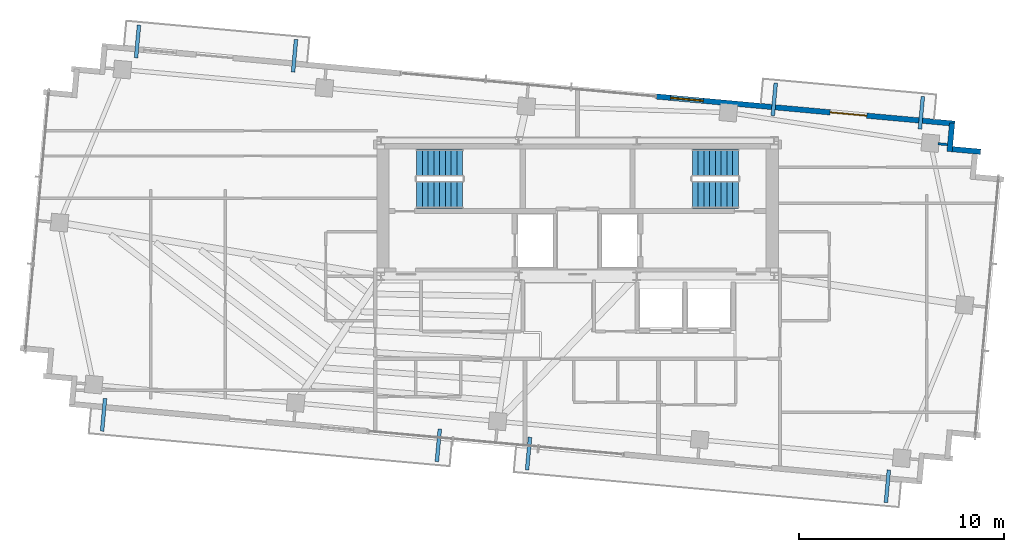
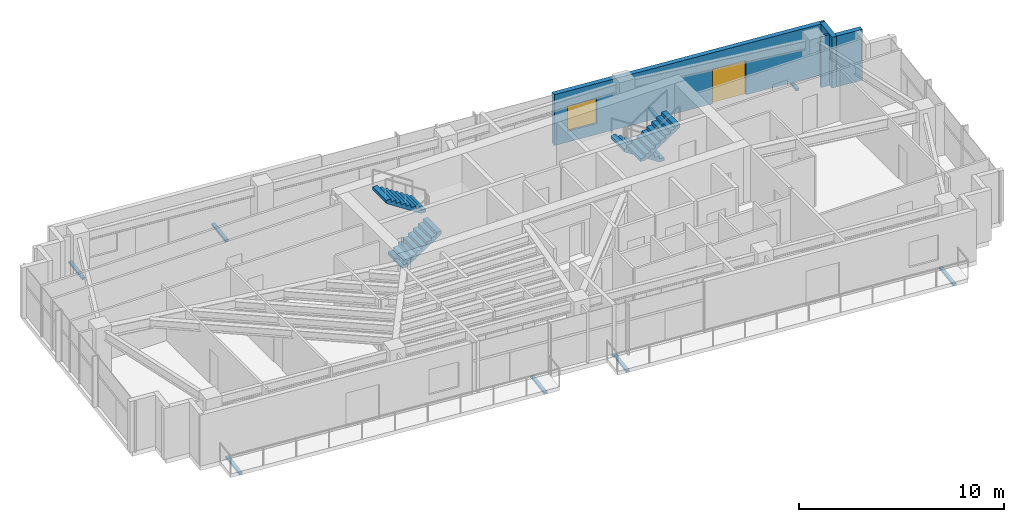
# One storey, part 19 of 22: 8 discrete accessories, 4 stair flights, 4 walls, 1 door, 1 window, 2 openings, 2 elements without a shape of their own.
"""IFC4 building model written with IfcOpenShell, lengths in metres."""

from ifc_helpers import new_model, si_unit, direction, frame, frame_2d, origin, origin_2d, place, context, subcontext, project, spatial, polyline, rectangle, outline, extrude, source, transform, mapped, material, layer, layer_set, type_object, type_shapes, element, fill, aggregate, save


model = new_model("IFC4")

# Units and contexts
model_context = context("Model", 3, precision=1e-05, world=origin(), true_north=direction((0.0, 1.0)))
body_context = subcontext(model_context, "Body", "Model", "MODEL_VIEW")
ifc_project = project(units=[si_unit("LENGTHUNIT", "METRE"), si_unit("AREAUNIT", "SQUARE_METRE"), si_unit("VOLUMEUNIT", "CUBIC_METRE"), si_unit("PLANEANGLEUNIT", "RADIAN"), si_unit("MASSUNIT", "GRAM", prefix="KILO")], contexts=[model_context])

# Site, building, storey
site_placement = place(None, origin())
site = spatial("IfcSite", under=ifc_project, at=site_placement, CompositionType="ELEMENT")
building_placement = place(site_placement, origin())
building = spatial("IfcBuilding", under=site, at=building_placement, Name="Astriad Promenade Condominiums", CompositionType="ELEMENT")
storey_placement = place(building_placement, frame((0.0, 0.0, 243.0)))
storey = spatial("IfcBuildingStorey", under=building, at=storey_placement, Name="L70", CompositionType="ELEMENT", Elevation=243.0)

# Wall, openings, door, window
ifc_material_1 = material(Name="Precast concrete C50/60", Category="concrete")
ifc_layer_1 = layer(ifc_material_1, 0.260009765625)
ifc_layer_set_1 = layer_set([ifc_layer_1], Name="Precast concrete C50/60")
wall_type_1 = type_object("IfcWallType", Name="WALL-EXT-TWR-260", PredefinedType="STANDARD", material=ifc_layer_set_1)
wall_1_placement = place(storey_placement, frame((39.839111328125, 26.16552734375, 0.0), z_axis=(0.0, 0.0, 1.0), x_axis=(0.995884447498, -0.090632043071, 0.0)))
wall_1 = element("IfcWall", 1, at=wall_1_placement, inside=storey, type_object=wall_type_1, Name="W-EXT-L70-N2", PredefinedType="STANDARD", context=body_context, shape_type="SweptSolid", body=[
    extrude(rectangle(XDim=14.6298828125, YDim=0.260009765625, at=frame_2d((7.31494140625, 0.0))), origin(), (0.0, 0.0, 1.0), 3.0400390625),
])
opening_1_placement = place(wall_1_placement, frame((8.52001953125, 0.0, 0.0)))
opening_1 = element("IfcOpeningElement", 2, at=opening_1_placement, cuts=wall_1, Name="Opening BD-1822-SLD", PredefinedType="OPENING", context=body_context, shape_type="SweptSolid", body=[
    extrude(rectangle(XDim=1.800048828125, YDim=2.06005859375, at=frame_2d((0.89990234375, 1.030029296875))), frame((0.0, 0.139892578125, 0.0), z_axis=(0.0, -1.0, 0.0), x_axis=(1.0, 0.0, 0.0)), (0.0, 0.0, 1.0), 0.280029296875),
])
opening_2_placement = place(wall_1_placement, frame((0.699951171875, 0.0, 0.64990234375)))
opening_2 = element("IfcOpeningElement", 3, at=opening_2_placement, cuts=wall_1, Name="Opening WIN-TWR-1620", PredefinedType="OPENING", context=body_context, shape_type="SweptSolid", body=[
    extrude(rectangle(XDim=1.60009765625, YDim=1.5, at=frame_2d((0.800048828125, 0.75))), frame((0.0, 0.139892578125, 0.0), z_axis=(0.0, -1.0, 0.0), x_axis=(1.0, 0.0, 0.0)), (0.0, 0.0, 1.0), 0.280029296875),
])
ifc_material_2 = material(Name="Thermally Broken Aluminium Sliding Balcony Door", Category="aluminium")
door_type = type_object("IfcDoorType", Name="BD-1822-SLD", OperationType="NOTDEFINED", PredefinedType="DOOR", material=ifc_material_2)
shared_shape_1 = source(origin(), body_context, "Body", "SweptSolid", [
    extrude(rectangle(XDim=1.800048828125, YDim=2.06005859375, at=frame_2d((0.89990234375, 1.030029296875))), frame((0.0, 0.02490234375, 0.0), z_axis=(0.0, -1.0, 0.0), x_axis=(1.0, 0.0, 0.0)), (0.0, 0.0, 1.0), 0.050048828125),
])
type_shapes(door_type, [shared_shape_1])
door_placement = place(opening_1_placement, origin())
door = element("IfcDoor", 4, at=door_placement, inside=storey, type_object=door_type, Name="BD-L70-NE", OperationType="SLIDING_TO_RIGHT", OverallHeight=2.06005859375, OverallWidth=1.800048828125, PredefinedType="DOOR", context=body_context, shape_type="MappedRepresentation", body=[
    mapped(shared_shape_1, transform((0.0, 0.0, 0.0), scale=1.0)),
])
fill(opening_1, door)
ifc_material_3 = material(Name="Dark Tinted Triple-Glazed Aluminium Window", Category="aluminium")
window_type = type_object("IfcWindowType", Name="WIN-TWR-1620", PartitioningType="SINGLE_PANEL", PredefinedType="WINDOW", material=ifc_material_3)
shared_shape_2 = source(origin(), body_context, "Body", "SweptSolid", [
    extrude(rectangle(XDim=1.60009765625, YDim=1.5, at=frame_2d((0.800048828125, 0.75))), frame((0.0, 0.030029296875, 0.0), z_axis=(0.0, -1.0, 0.0), x_axis=(1.0, 0.0, 0.0)), (0.0, 0.0, 1.0), 0.06005859375),
])
type_shapes(window_type, [shared_shape_2])
window_placement = place(opening_2_placement, origin())
window = element("IfcWindow", 5, at=window_placement, inside=storey, type_object=window_type, Name="WIN-L70-NE", OverallHeight=1.5, OverallWidth=1.60009765625, PartitioningType="SINGLE_PANEL", PredefinedType="WINDOW", context=body_context, shape_type="MappedRepresentation", body=[
    mapped(shared_shape_2, transform((0.0, 0.0, 0.0), scale=1.0)),
])
fill(opening_2, window)

# Walls
wall_2_placement = place(storey_placement, frame((54.28076171875, 24.866455078125, 0.0), z_axis=(0.0, 0.0, 1.0), x_axis=(-0.090661991521, -0.995881721538, 0.0)))
element("IfcWall", 6, at=wall_2_placement, inside=storey, type_object=wall_type_1, Name="W-SER-L70-09", PredefinedType="STANDARD", context=body_context, shape_type="SweptSolid", body=[
    extrude(rectangle(XDim=1.39501953125, YDim=0.260009765625, at=frame_2d((0.697509765625, 0.0))), origin(), (0.0, 0.0, 1.0), 3.0400390625),
])
wall_3_placement = place(storey_placement, frame((54.280517578125, 23.59619140625, 0.0), z_axis=(0.0, 0.0, 1.0), x_axis=(0.995883159782, -0.090646191665, 0.0)))
element("IfcWall", 7, at=wall_3_placement, inside=storey, type_object=wall_type_1, Name="W-SER-L70-10", PredefinedType="STANDARD", context=body_context, shape_type="SweptSolid", body=[
    extrude(rectangle(XDim=1.395263671875, YDim=0.260009765625, at=frame_2d((0.69775390625, 0.0))), origin(), (0.0, 0.0, 1.0), 3.0400390625),
])
ifc_material_4 = material(Name="Acoustic Metal-Stud Gypsum Partition")
ifc_layer_2 = layer(ifc_material_4, 0.1201171875)
ifc_layer_set_2 = layer_set([ifc_layer_2], Name="Acoustic Metal-Stud Gypsum Partition")
wall_type_2 = type_object("IfcWallType", Name="WALL-PART-120", PredefinedType="PARTITIONING", material=ifc_layer_set_2)
wall_4_placement = place(storey_placement, frame((53.5966796875, 23.859375, 0.0), z_axis=(0.0, 0.0, 1.0), x_axis=(0.995884462012, -0.090631883588, 0.0)))
element("IfcWall", 8, at=wall_4_placement, inside=storey, type_object=wall_type_2, Name="PT-PIL-L70-PC10-17", PredefinedType="PARTITIONING", context=body_context, shape_type="SweptSolid", body=[
    extrude(rectangle(XDim=0.4580078125, YDim=0.1201171875, at=frame_2d((0.22900390625, 0.0))), origin(), (0.0, 0.0, 1.0), 3.0400390625),
])

# Stair, stair flights
ifc_material_5 = material(Name="Concrete C50/60", Category="concrete")
stair_type = type_object("IfcStairType", Name="STR-CORE-1350", PredefinedType="HALF_TURN_STAIR", material=ifc_material_5)
stair_1_placement = place(storey_placement, origin())
stair_1 = element("IfcStair", 9, at=stair_1_placement, inside=storey, type_object=stair_type, Name="L70 Enclosed Core Exit Stair ST-1", PredefinedType="HALF_TURN_STAIR")
stair_flight_type = type_object("IfcStairFlightType", Name="SFL-CORE-1350", PredefinedType="STRAIGHT", material=ifc_material_5)
shared_shape_3 = source(origin(), body_context, "Body", "SweptSolid", [
    extrude(outline(polyline([(0.0, 0.0), (0.0, 0.183349609375), (0.280029296875, 0.183349609375), (0.280029296875, 0.36669921875), (0.56005859375, 0.36669921875), (0.56005859375, 0.550048828125), (0.840087890625, 0.550048828125), (0.840087890625, 0.7333984375), (1.1201171875, 0.7333984375), (1.1201171875, 0.916748046875), (1.39990234375, 0.916748046875), (1.39990234375, 1.10009765625), (1.679931640625, 1.10009765625), (1.679931640625, 1.283447265625), (1.9599609375, 1.283447265625), (1.9599609375, 1.466552734375), (2.239990234375, 1.466552734375), (2.239990234375, 1.64990234375), (2.239990234375, 1.28759765625), (0.273681640625, 0.0), (0.0, 0.0)])), frame((0.0, 0.675048828125, 0.0), z_axis=(0.0, -1.0, 0.0), x_axis=(1.0, 0.0, 0.0)), (0.0, 0.0, 1.0), 1.35009765625),
])
type_shapes(stair_flight_type, [shared_shape_3])
stair_flight_1_placement = place(storey_placement, frame((28.14990234375, 21.375, 0.0), z_axis=(0.0, 0.0, 1.0), x_axis=(1.0, 0.0, 0.0)))
stair_flight_1 = element("IfcStairFlight", 10, at=stair_flight_1_placement, type_object=stair_flight_type, Name="ST-1 flight 1", NumberOfRisers=9, NumberOfTreads=8, PredefinedType="STRAIGHT", RiserHeight=0.183333333, TreadLength=0.28, context=body_context, shape_type="MappedRepresentation", body=[
    mapped(shared_shape_3, transform((0.0, 0.0, 0.0), scale=1.0)),
])
stair_flight_2_placement = place(storey_placement, frame((30.389892578125, 22.925048828125, 1.64990234375), z_axis=(0.0, 0.0, 1.0), x_axis=(-1.0, 0.0, 0.0)))
stair_flight_2 = element("IfcStairFlight", 11, at=stair_flight_2_placement, type_object=stair_flight_type, Name="ST-1 flight 2", NumberOfRisers=9, NumberOfTreads=8, PredefinedType="STRAIGHT", RiserHeight=0.183333333, TreadLength=0.28, context=body_context, shape_type="MappedRepresentation", body=[
    mapped(shared_shape_3, transform((0.0, 0.0, 0.0), scale=1.0)),
])
aggregate(stair_1, [stair_flight_1, stair_flight_2])

stair_2_placement = place(storey_placement, origin())
stair_2 = element("IfcStair", 12, at=stair_2_placement, inside=storey, type_object=stair_type, Name="L70 Enclosed Core Exit Stair ST-2", PredefinedType="HALF_TURN_STAIR")
stair_flight_3_placement = place(storey_placement, frame((43.85009765625, 22.925048828125, 0.0), z_axis=(0.0, 0.0, 1.0), x_axis=(-1.0, 0.0, 0.0)))
stair_flight_3 = element("IfcStairFlight", 13, at=stair_flight_3_placement, type_object=stair_flight_type, Name="ST-2 flight 1", NumberOfRisers=9, NumberOfTreads=8, PredefinedType="STRAIGHT", RiserHeight=0.183333333, TreadLength=0.28, context=body_context, shape_type="MappedRepresentation", body=[
    mapped(shared_shape_3, transform((0.0, 0.0, 0.0), scale=1.0)),
])
stair_flight_4_placement = place(storey_placement, frame((41.610107421875, 21.375, 1.64990234375), z_axis=(0.0, 0.0, 1.0), x_axis=(1.0, 0.0, 0.0)))
stair_flight_4 = element("IfcStairFlight", 14, at=stair_flight_4_placement, type_object=stair_flight_type, Name="ST-2 flight 2", NumberOfRisers=9, NumberOfTreads=8, PredefinedType="STRAIGHT", RiserHeight=0.183333333, TreadLength=0.28, context=body_context, shape_type="MappedRepresentation", body=[
    mapped(shared_shape_3, transform((0.0, 0.0, 0.0), scale=1.0)),
])
aggregate(stair_2, [stair_flight_3, stair_flight_4])

# Discrete accessories
ifc_material_6 = material(Name="Steel ASTM A572 Grade 50", Category="steel")
discrete_accessory_type = type_object("IfcDiscreteAccessoryType", Name="STEEL BALCONY OUTRIGGER BRACKET", PredefinedType="BRACKET", material=ifc_material_6)
shared_shape_4 = source(origin(), body_context, "Body", "SweptSolid", [
    extrude(rectangle(XDim=1.60009765625, YDim=0.179931640625, at=origin_2d()), origin(), (0.0, 0.0, 1.0), 0.1220703125),
])
type_shapes(discrete_accessory_type, [shared_shape_4])
for number, where, z_axis, x_axis, name in (
    (15, (12.86474609375, 10.62646484375, -0.340087890625), (0.0, 0.0, 1.0), (-0.090632580198, -0.995884398616, 0.0), "Balcony Outrigger Bracket BAL-L70-SW-A"),
    (16, (29.2041015625, 9.139404296875, -0.340087890625), (0.0, 0.0, 1.0), (-0.090632580198, -0.995884398616, 0.0), "Balcony Outrigger Bracket BAL-L70-SW-B"),
    (17, (33.60791015625, 8.73876953125, -0.340087890625), (0.0, 0.0, 1.0), (-0.090632580198, -0.995884398616, 0.0), "Balcony Outrigger Bracket BAL-L70-SE-A"),
    (18, (51.12255859375, 7.144775390625, -0.340087890625), (0.0, 0.0, 1.0), (-0.090632580198, -0.995884398616, 0.0), "Balcony Outrigger Bracket BAL-L70-SE-B"),
    (19, (14.523193359375, 28.85107421875, -0.340087890625), (0.0, 0.0, 1.0), (0.090632580198, 0.995884398616, 0.0), "Balcony Outrigger Bracket BAL-L70-NW-A"),
    (20, (22.1865234375, 28.15380859375, -0.340087890625), (0.0, 0.0, 1.0), (0.090632580198, 0.995884398616, 0.0), "Balcony Outrigger Bracket BAL-L70-NW-B"),
    (21, (45.599853515625, 26.02294921875, -0.340087890625), (0.0, 0.0, 1.0), (0.090632580198, 0.995884398616, 0.0), "Balcony Outrigger Bracket BAL-L70-NE-A"),
    (22, (52.781005859375, 25.369384765625, -0.340087890625), (0.0, 0.0, 1.0), (0.090632580198, 0.995884398616, 0.0), "Balcony Outrigger Bracket BAL-L70-NE-B"),
):
    element("IfcDiscreteAccessory", number, at=place(storey_placement, frame(where, z_axis=z_axis, x_axis=x_axis)), inside=storey, type_object=discrete_accessory_type, Name=name, PredefinedType="BRACKET", context=body_context, shape_type="MappedRepresentation", body=[
        mapped(shared_shape_4, transform((0.0, 0.0, 0.0), scale=1.0)),
    ])

save(model, "model.ifc")
